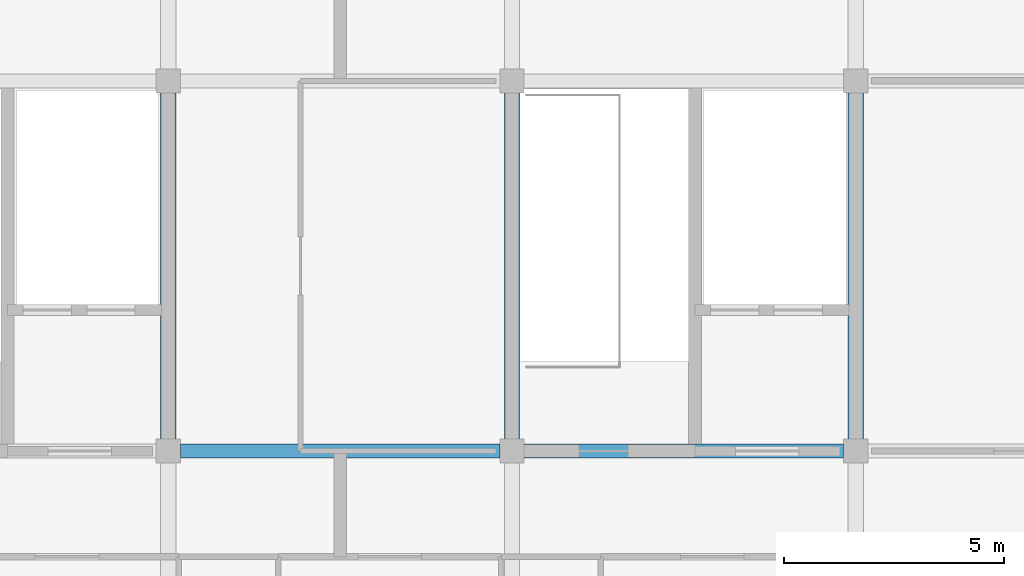
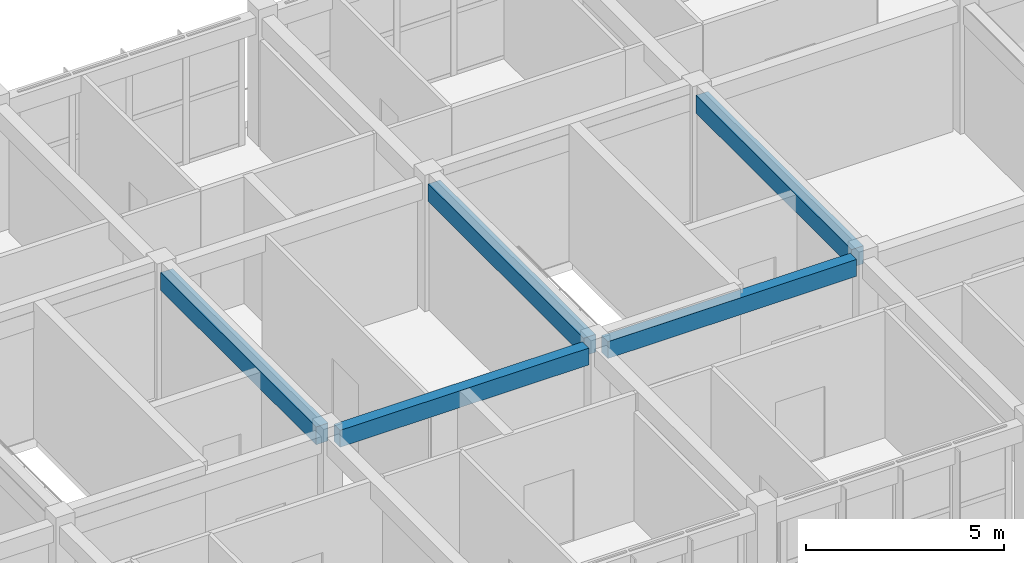
# One storey, part 13 of 33: 5 beams.
"""IFC4 building model written with IfcOpenShell, lengths in metres."""

from ifc_helpers import new_model, si_unit, direction, frame, origin, origin_2d, place, context, subcontext, project, spatial, rectangle, extrude, material, material_profile, profile_set, type_object, element, save


model = new_model("IFC4")

# Units and contexts
model_context = context("Model", 3, precision=1e-05, world=origin(), true_north=direction((0.0, 1.0)))
body_context = subcontext(model_context, "Body", "Model", "MODEL_VIEW")
ifc_project = project(units=[si_unit("LENGTHUNIT", "METRE"), si_unit("AREAUNIT", "SQUARE_METRE"), si_unit("VOLUMEUNIT", "CUBIC_METRE"), si_unit("PLANEANGLEUNIT", "RADIAN"), si_unit("MASSUNIT", "GRAM", prefix="KILO")], contexts=[model_context])

# Site, building, storey
site_placement = place(None, origin())
site = spatial("IfcSite", under=ifc_project, at=site_placement, CompositionType="ELEMENT")
building_placement = place(site_placement, origin())
building = spatial("IfcBuilding", under=site, at=building_placement, Name="Zizhar Promenade General Hospital", CompositionType="ELEMENT")
storey_placement = place(building_placement, frame((0.0, 0.0, 39.0)))
storey = spatial("IfcBuildingStorey", under=building, at=storey_placement, Name="L09", CompositionType="ELEMENT", Elevation=39.0)

# Beams
ifc_material_1 = material(Name="Concrete C35/45", Category="concrete")
ifc_material_profile_1 = material_profile(ifc_material_1, rectangle(XDim=0.320068359375, YDim=0.52001953125, at=origin_2d()))
ifc_profile_set_1 = profile_set([ifc_material_profile_1], Name="Concrete C35/45")
beam_type_1 = type_object("IfcBeamType", Name="BM-RC-320x520", PredefinedType="LINTEL", material=ifc_profile_set_1)
for number, where, z_axis, x_axis, name in (
    (1, (70.47509765625, 8.39990234375, 3.64990234375), (1.0, 0.0, 0.0), (0.0, 1.0, 0.0), "Grid Beam X L09 (9-1)"),
    (2, (78.27490234375, 8.39990234375, 3.64990234375), (1.0, 0.0, 0.0), (0.0, 1.0, 0.0), "Grid Beam X L09 (10-1)"),
):
    element("IfcBeam", number, at=place(storey_placement, frame(where, z_axis=z_axis, x_axis=x_axis)), inside=storey, type_object=beam_type_1, Name=name, PredefinedType="LINTEL", context=body_context, shape_type="SweptSolid", body=[
        extrude(rectangle(XDim=0.320068359375, YDim=0.52001953125, at=origin_2d()), origin(), (0.0, 0.0, 1.0), 7.25),
    ])
ifc_material_2 = material(Name="Concrete C35/45", Category="concrete")
ifc_material_profile_2 = material_profile(ifc_material_2, rectangle(XDim=0.35009765625, YDim=0.550048828125, at=origin_2d()))
ifc_profile_set_2 = profile_set([ifc_material_profile_2], Name="Concrete C35/45")
beam_type_2 = type_object("IfcBeamType", Name="BM-RC-350x550", PredefinedType="LINTEL", material=ifc_profile_set_2)
for number, where, z_axis, x_axis, name in (
    (3, (70.199951171875, 8.675048828125, 3.635009765625), (0.0, 1.0, 0.0), (-1.0, 0.0, 0.0), "Grid Beam Y L09 (9-1)"),
    (4, (78.0, 8.675048828125, 3.635009765625), (0.0, 1.0, 0.0), (-1.0, 0.0, 0.0), "Grid Beam Y L09 (10-1)"),
    (5, (85.800048828125, 8.675048828125, 3.635009765625), (0.0, 1.0, 0.0), (-1.0, 0.0, 0.0), "Grid Beam Y L09 (11-1)"),
):
    element("IfcBeam", number, at=place(storey_placement, frame(where, z_axis=z_axis, x_axis=x_axis)), inside=storey, type_object=beam_type_2, Name=name, PredefinedType="LINTEL", context=body_context, shape_type="SweptSolid", body=[
        extrude(rectangle(XDim=0.35009765625, YDim=0.550048828125, at=origin_2d()), origin(), (0.0, 0.0, 1.0), 7.849853515625),
    ])

save(model, "model.ifc")
